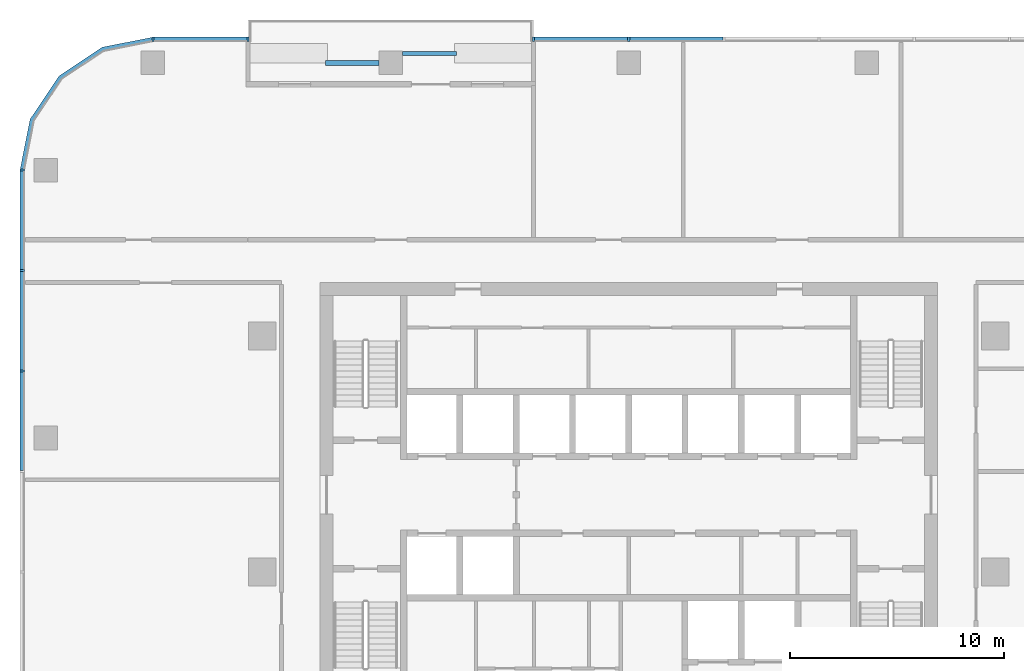
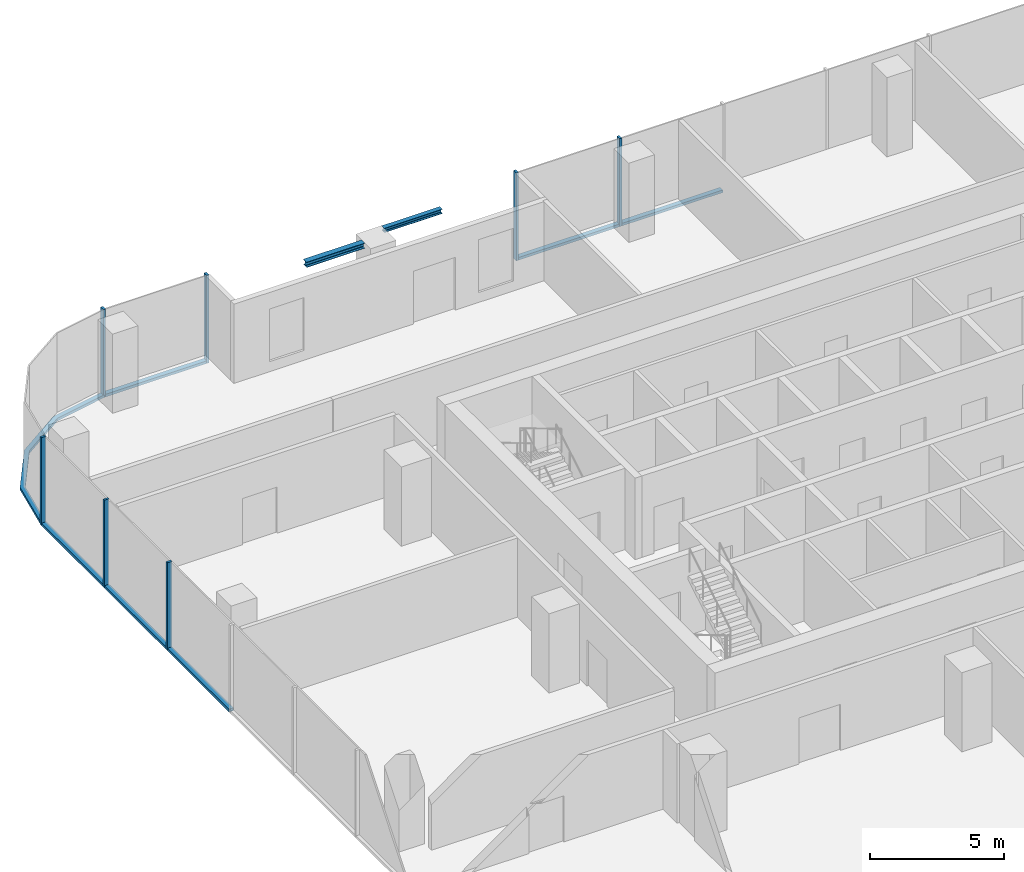
# One storey, part 4 of 14: 14 members, 2 beams, 4 elements without a shape of their own.
"""IFC4 building model written with IfcOpenShell, lengths in metres."""

import ifcopenshell
import ifcopenshell.guid

model = None  # the IFC model being written
_history = None  # IfcOwnerHistory: only IFC2X3 demands one
_inside = {}  # id of a spatial element -> (the spatial element, [elements in it])
_under = {}  # id of a project, library or spatial element -> (it, [spatial elements below it])
_declared = {}  # id of a project -> (the project, [libraries it declares])
_typed = {}  # id of a type object -> (the type object, [elements of that type])
_made_of = {}  # id of a material, layer set ... -> (it, [elements and type objects made of it])


def new_model(schema):
    """Start an empty IFC model of exactly this schema.

    Asked for "IFC4X3", IfcOpenShell would pick the latest addendum, in which some entities
    have other attributes; the version numbers below select the first issue.
    IFC2X3 requires an IfcOwnerHistory on every rooted entity: one is made here for all.
    """
    global model, _history
    if schema == "IFC4X3":
        model = ifcopenshell.file(schema_version=(4, 3, 0, 0))
    else:
        model = ifcopenshell.file(schema=schema)
    _inside.clear()
    _under.clear()
    _declared.clear()
    _typed.clear()
    _made_of.clear()
    _history = None
    if model.schema == "IFC2X3":
        org = make("IfcOrganization", Name="unknown")
        user = make(
            "IfcPersonAndOrganization",
            ThePerson=make("IfcPerson", FamilyName="unknown"),
            TheOrganization=org,
        )
        app = make(
            "IfcApplication",
            ApplicationDeveloper=org,
            Version="unknown",
            ApplicationFullName="unknown",
            ApplicationIdentifier="unknown",
        )
        _history = make(
            "IfcOwnerHistory",
            OwningUser=user,
            OwningApplication=app,
            ChangeAction="ADDED",
            CreationDate=0,
        )
    return model


def make(cls, **values):
    """One entity of the class cls with the attributes given. An attribute that is None is left unset."""
    return model.create_entity(
        cls, **{name: value for name, value in values.items() if value is not None}
    )


def rooted(cls, **values):
    """An entity with a GlobalId (a new one), such as an element, a storey or a relation."""
    return make(cls, GlobalId=ifcopenshell.guid.new(), OwnerHistory=_history, **values)


def si_unit(unit_type, name, prefix=None):
    """IfcSIUnit, for example si_unit("LENGTHUNIT", "METRE", prefix="MILLI")."""
    return make("IfcSIUnit", UnitType=unit_type, Prefix=prefix, Name=name)


def assignment(units):
    """IfcUnitAssignment: the units of a project."""
    return None if units is None else make("IfcUnitAssignment", Units=units)


def point(xyz):
    """IfcCartesianPoint."""
    return None if xyz is None else make("IfcCartesianPoint", Coordinates=xyz)


def direction(xyz):
    """IfcDirection."""
    return None if xyz is None else make("IfcDirection", DirectionRatios=xyz)


def frame(location, z_axis=None, x_axis=None):
    """IfcAxis2Placement3D, a coordinate frame: its origin and axes. An axis left out is left unset."""
    return make(
        "IfcAxis2Placement3D",
        Location=point(location),
        Axis=direction(z_axis),
        RefDirection=direction(x_axis),
    )


def frame_2d(location, x_axis=None):
    """IfcAxis2Placement2D, a coordinate frame in the plane: its origin and x axis."""
    return make(
        "IfcAxis2Placement2D", Location=point(location), RefDirection=direction(x_axis)
    )


def origin():
    """The frame at (0, 0, 0) with its axes left unset."""
    return frame((0.0, 0.0, 0.0))


def origin_2d():
    """The frame at (0, 0) in the plane with its x axis left unset."""
    return frame_2d((0.0, 0.0))


def place(relative_to, where):
    """IfcLocalPlacement: puts the frame where relative to a parent placement (None: the world)."""
    return make(
        "IfcLocalPlacement", PlacementRelTo=relative_to, RelativePlacement=where
    )


def context(
    kind, dimensions, precision=None, world=None, true_north=None, identifier=None
):
    """IfcGeometricRepresentationContext, for example the 3D "Model" context."""
    return make(
        "IfcGeometricRepresentationContext",
        ContextIdentifier=identifier,
        ContextType=kind,
        CoordinateSpaceDimension=dimensions,
        Precision=precision,
        WorldCoordinateSystem=world,
        TrueNorth=true_north,
    )


def subcontext(parent, identifier, kind, view, scale=None):
    """IfcGeometricRepresentationSubContext, for example "Body" below "Model"."""
    return make(
        "IfcGeometricRepresentationSubContext",
        ContextIdentifier=identifier,
        ContextType=kind,
        ParentContext=parent,
        TargetScale=scale,
        TargetView=view,
    )


def project(units=None, contexts=None):
    """IfcProject with its units and contexts."""
    return rooted(
        "IfcProject",
        Name="project",
        RepresentationContexts=contexts,
        UnitsInContext=assignment(units),
    )


def spatial(cls, under=None, at=None, **own):
    """A site, building, storey or space (cls), placed at a placement, below another one or the project."""
    s = rooted(cls, ObjectPlacement=at, **own)
    if under is not None:
        _under.setdefault(under.id(), (under, []))[1].append(s)
    return s


def polyline(points):
    """IfcPolyline through the points."""
    return make("IfcPolyline", Points=[point(p) for p in points])


def profile(cls, at=None, kind="AREA", **sizes):
    """A parametric profile (cls). Its sizes go by their IFC names, for example OverallWidth=200.0."""
    return make(cls, ProfileType=kind, Position=at, **sizes)


def rectangle(**sizes):
    """IfcRectangleProfileDef."""
    return profile("IfcRectangleProfileDef", **sizes)


def i_section(**sizes):
    """IfcIShapeProfileDef."""
    return profile("IfcIShapeProfileDef", **sizes)


def outline(outer, holes=None, kind="AREA"):
    """IfcArbitraryClosedProfileDef: a profile drawn as a closed curve; with holes, ...WithVoids."""
    if holes is None:
        return make("IfcArbitraryClosedProfileDef", ProfileType=kind, OuterCurve=outer)
    return make(
        "IfcArbitraryProfileDefWithVoids",
        ProfileType=kind,
        OuterCurve=outer,
        InnerCurves=holes,
    )


def extrude(swept, where, along, depth):
    """IfcExtrudedAreaSolid: the profile swept, set in the frame where, extruded along a direction by depth."""
    return make(
        "IfcExtrudedAreaSolid",
        SweptArea=swept,
        Position=where,
        ExtrudedDirection=direction(along),
        Depth=depth,
    )


def shape(context_of_items, identifier, shape_type, items):
    """IfcShapeRepresentation: the items that make up one representation, for example the "Body"."""
    return make(
        "IfcShapeRepresentation",
        ContextOfItems=context_of_items,
        RepresentationIdentifier=identifier,
        RepresentationType=shape_type,
        Items=items,
    )


def material(Name=None, Category=None):
    """IfcMaterial."""
    return make("IfcMaterial", Name=Name, Category=Category)


def material_profile(
    of_material, cross_section, Name=None, Category=None, Priority=None
):
    """IfcMaterialProfile: a cross section and its material."""
    return make(
        "IfcMaterialProfile",
        Name=Name,
        Material=of_material,
        Profile=cross_section,
        Priority=Priority,
        Category=Category,
    )


def profile_set(profiles, Name=None, composite=None):
    """IfcMaterialProfileSet."""
    return make(
        "IfcMaterialProfileSet",
        Name=Name,
        MaterialProfiles=profiles,
        CompositeProfile=composite,
    )


def made_of(thing, what):
    """Note that an element or type object is made of a material, layer set ...; save() writes the relation."""
    if what is not None:
        _made_of.setdefault(what.id(), (what, []))[1].append(thing)
    return thing


def type_object(cls, material=None, **own):
    """A type object (cls), such as IfcWallType, which elements share."""
    return made_of(rooted(cls, **own), material)


def element(
    cls,
    number,
    at=None,
    inside=None,
    cuts=None,
    type_object=None,
    material=None,
    context=None,
    identifier="Body",
    shape_type=None,
    held_by="IfcProductDefinitionShape",
    body=None,
    shapes=None,
    **own,
):
    """One element of the class cls, such as IfcWall. Its Tag is "e" and its number.

    at: its placement. inside: the storey or other place that contains it. cuts: it is an
    opening in that element (IfcRelVoidsElement). A single representation is given by context,
    identifier, shape_type and body (its items); several are given by shapes. held_by: the class
    of the entity that holds the representations. save() writes the other relations.
    """
    e = rooted(cls, Tag="e%d" % number, ObjectPlacement=at, **own)
    if body is not None:
        shapes = [shape(context, identifier, shape_type, body)]
    if shapes is not None:
        e.Representation = make(held_by, Representations=shapes)
    if inside is not None:
        _inside.setdefault(inside.id(), (inside, []))[1].append(e)
    if cuts is not None:
        rooted(
            "IfcRelVoidsElement", RelatingBuildingElement=cuts, RelatedOpeningElement=e
        )
    if type_object is not None:
        _typed.setdefault(type_object.id(), (type_object, []))[1].append(e)
    return made_of(e, material)


def aggregate(whole, parts):
    """IfcRelAggregates: a whole, such as a stair, and the parts it consists of."""
    return rooted("IfcRelAggregates", RelatingObject=whole, RelatedObjects=parts)


def save(model, path):
    """Write the relations noted so far, then the file.

    IfcRelAggregates (storeys below a building ...), IfcRelContainedInSpatialStructure (elements
    in a storey), IfcRelDefinesByType, IfcRelAssociatesMaterial and IfcRelDeclares: one each for
    every whole, place, type object, material and project.
    """
    for whole, parts in _under.values():
        aggregate(whole, parts)
    for where, things in _inside.values():
        rooted(
            "IfcRelContainedInSpatialStructure",
            RelatedElements=things,
            RelatingStructure=where,
        )
    for kind, things in _typed.values():
        rooted("IfcRelDefinesByType", RelatedObjects=things, RelatingType=kind)
    for what, things in _made_of.values():
        rooted("IfcRelAssociatesMaterial", RelatedObjects=things, RelatingMaterial=what)
    for by, libraries in _declared.values():
        rooted("IfcRelDeclares", RelatingContext=by, RelatedDefinitions=libraries)
    model.write(path)


model = new_model("IFC4")

# Units and contexts
model_context = context("Model", 3, precision=1e-05, world=origin(), true_north=direction((0.0, 1.0)))
body_context = subcontext(model_context, "Body", "Model", "MODEL_VIEW")
ifc_project = project(units=[si_unit("LENGTHUNIT", "METRE"), si_unit("AREAUNIT", "SQUARE_METRE"), si_unit("VOLUMEUNIT", "CUBIC_METRE"), si_unit("PLANEANGLEUNIT", "RADIAN"), si_unit("MASSUNIT", "GRAM", prefix="KILO")], contexts=[model_context])

# Site, building, storey
site_placement = place(None, origin())
site = spatial("IfcSite", under=ifc_project, at=site_placement, CompositionType="ELEMENT")
building_placement = place(site_placement, origin())
building = spatial("IfcBuilding", under=site, at=building_placement, Name="Mopane Tessera Tower", CompositionType="ELEMENT")
storey_placement = place(building_placement, frame((0.0, 0.0, 215.0)))
storey = spatial("IfcBuildingStorey", under=building, at=storey_placement, Name="L45", CompositionType="ELEMENT", Elevation=215.0)

# Curtain wall, members
ifc_material_1 = material(Name="Aluminium frame", Category="aluminium")
curtain_wall_type = type_object("IfcCurtainWallType", Name="Unitised curtain wall", PredefinedType="NOTDEFINED", material=ifc_material_1)
curtain_wall_1_placement = place(storey_placement, origin())
curtain_wall_1 = element("IfcCurtainWall", 1, at=curtain_wall_1_placement, inside=storey, type_object=curtain_wall_type, Name="e:cw:L45:N:0", PredefinedType="NOTDEFINED")
ifc_material_2 = material(Name="Aluminium frame", Category="aluminium")
ifc_material_profile_1 = material_profile(ifc_material_2, rectangle(XDim=0.10009765625, YDim=0.199951171875, at=origin_2d()))
ifc_profile_set_1 = profile_set([ifc_material_profile_1], Name="Aluminium frame")
member_type_1 = type_object("IfcMemberType", Name="Aluminium mullion 100 x 200", PredefinedType="MULLION", material=ifc_profile_set_1)
member_1_placement = place(storey_placement, frame((0.0, 24.85009765625, -0.39990234375), z_axis=(0.0, 0.0, 1.0), x_axis=(-1.0, 0.0, 0.0)))
member_1 = element("IfcMember", 2, at=member_1_placement, type_object=member_type_1, Name="e:cw:L45:N:0:mu5", PredefinedType="MULLION", context=body_context, shape_type="SweptSolid", body=[
    extrude(rectangle(XDim=0.10009765625, YDim=0.199951171875, at=origin_2d()), origin(), (0.0, 0.0, 1.0), 4.0),
])
member_2_placement = place(storey_placement, frame((-4.43994140625, 24.85009765625, -0.39990234375), z_axis=(0.0, 0.0, 1.0), x_axis=(-1.0, 0.0, 0.0)))
member_2 = element("IfcMember", 3, at=member_2_placement, type_object=member_type_1, Name="e:cw:L45:N:0:mu6", PredefinedType="MULLION", context=body_context, shape_type="SweptSolid", body=[
    extrude(rectangle(XDim=0.10009765625, YDim=0.199951171875, at=origin_2d()), origin(), (0.0, 0.0, 1.0), 4.0),
])

curtain_wall_2_placement = place(storey_placement, origin())
curtain_wall_2 = element("IfcCurtainWall", 4, at=curtain_wall_2_placement, inside=storey, type_object=curtain_wall_type, Name="e:cw:L45:N:9", PredefinedType="NOTDEFINED")
member_3_placement = place(storey_placement, frame((-17.760009765625, 24.85009765625, -0.39990234375), z_axis=(0.0, 0.0, 1.0), x_axis=(-1.0, 0.0, 0.0)))
member_3 = element("IfcMember", 5, at=member_3_placement, type_object=member_type_1, Name="e:cw:L45:N:9:mu9", PredefinedType="MULLION", context=body_context, shape_type="SweptSolid", body=[
    extrude(rectangle(XDim=0.10009765625, YDim=0.199951171875, at=origin_2d()), origin(), (0.0, 0.0, 1.0), 4.0),
])
member_4_placement = place(storey_placement, frame((-22.199951171875, 24.85009765625, -0.39990234375), z_axis=(0.0, 0.0, 1.0), x_axis=(-1.0, 0.0, 0.0)))
member_4 = element("IfcMember", 6, at=member_4_placement, type_object=member_type_1, Name="e:cw:L45:N:9:mu10", PredefinedType="MULLION", context=body_context, shape_type="SweptSolid", body=[
    extrude(rectangle(XDim=0.10009765625, YDim=0.199951171875, at=origin_2d()), origin(), (0.0, 0.0, 1.0), 4.0),
])

curtain_wall_3_placement = place(storey_placement, origin())
curtain_wall_3 = element("IfcCurtainWall", 7, at=curtain_wall_3_placement, inside=storey, type_object=curtain_wall_type, Name="e:cw:L45:W:0", PredefinedType="NOTDEFINED")
member_5_placement = place(storey_placement, frame((-28.300048828125, 18.75, -0.39990234375), z_axis=(0.0, 0.0, 1.0), x_axis=(0.0, -1.0, 0.0)))
member_5 = element("IfcMember", 8, at=member_5_placement, type_object=member_type_1, Name="e:cw:L45:W:0:mu0", PredefinedType="MULLION", context=body_context, shape_type="SweptSolid", body=[
    extrude(rectangle(XDim=0.10009765625, YDim=0.199951171875, at=origin_2d()), origin(), (0.0, 0.0, 1.0), 4.0),
])
member_6_placement = place(storey_placement, frame((-28.300048828125, 14.0625, -0.39990234375), z_axis=(0.0, 0.0, 1.0), x_axis=(0.0, -1.0, 0.0)))
member_6 = element("IfcMember", 9, at=member_6_placement, type_object=member_type_1, Name="e:cw:L45:W:0:mu1", PredefinedType="MULLION", context=body_context, shape_type="SweptSolid", body=[
    extrude(rectangle(XDim=0.10009765625, YDim=0.199951171875, at=origin_2d()), origin(), (0.0, 0.0, 1.0), 4.0),
])
member_7_placement = place(storey_placement, frame((-28.300048828125, 9.375, -0.39990234375), z_axis=(0.0, 0.0, 1.0), x_axis=(0.0, -1.0, 0.0)))
member_7 = element("IfcMember", 10, at=member_7_placement, type_object=member_type_1, Name="e:cw:L45:W:0:mu2", PredefinedType="MULLION", context=body_context, shape_type="SweptSolid", body=[
    extrude(rectangle(XDim=0.10009765625, YDim=0.199951171875, at=origin_2d()), origin(), (0.0, 0.0, 1.0), 4.0),
])

# Member
ifc_material_3 = material(Name="Aluminium frame", Category="aluminium")
ifc_material_profile_2 = material_profile(ifc_material_3, rectangle(XDim=0.199951171875, YDim=0.1201171875, at=origin_2d()))
ifc_profile_set_2 = profile_set([ifc_material_profile_2], Name="Aluminium frame")
member_type_2 = type_object("IfcMemberType", Name="Aluminium transom 200 x 120", PredefinedType="USERDEFINED", material=ifc_profile_set_2)
member_8_placement = place(storey_placement, frame((4.389892578125, 24.85009765625, -0.340087890625), z_axis=(-1.0, 0.0, 0.0), x_axis=(0.0, -1.0, 0.0)))
member_8 = element("IfcMember", 11, at=member_8_placement, type_object=member_type_2, Name="e:cw:L45:N:0:tr4", ObjectType="TRANSOM", PredefinedType="USERDEFINED", context=body_context, shape_type="SweptSolid", body=[
    extrude(rectangle(XDim=0.199951171875, YDim=0.1201171875, at=origin_2d()), origin(), (0.0, 0.0, 1.0), 4.33984375),
])

member_9_placement = place(storey_placement, frame((-0.050048828125, 24.85009765625, -0.340087890625), z_axis=(-1.0, 0.0, 0.0), x_axis=(0.0, -1.0, 0.0)))
member_9 = element("IfcMember", 12, at=member_9_placement, type_object=member_type_2, Name="e:cw:L45:N:0:tr5", ObjectType="TRANSOM", PredefinedType="USERDEFINED", context=body_context, shape_type="SweptSolid", body=[
    extrude(rectangle(XDim=0.199951171875, YDim=0.1201171875, at=origin_2d()), origin(), (0.0, 0.0, 1.0), 4.33984375),
])

aggregate(curtain_wall_1, [member_1, member_2, member_8, member_9])

member_10_placement = place(storey_placement, frame((-17.81005859375, 24.85009765625, -0.340087890625), z_axis=(-1.0, 0.0, 0.0), x_axis=(0.0, -1.0, 0.0)))
member_10 = element("IfcMember", 13, at=member_10_placement, type_object=member_type_2, Name="e:cw:L45:N:9:tr9", ObjectType="TRANSOM", PredefinedType="USERDEFINED", context=body_context, shape_type="SweptSolid", body=[
    extrude(rectangle(XDim=0.199951171875, YDim=0.1201171875, at=origin_2d()), origin(), (0.0, 0.0, 1.0), 4.33984375),
])

aggregate(curtain_wall_2, [member_3, member_4, member_10])

# Curtain wall, member
curtain_wall_4_placement = place(storey_placement, origin())
curtain_wall_4 = element("IfcCurtainWall", 14, at=curtain_wall_4_placement, inside=storey, type_object=curtain_wall_type, Name="e:cw:L45:CN", PredefinedType="NOTDEFINED")
member_11_placement = place(storey_placement, frame((0.0, 0.0, -0.39990234375)))
member_11 = element("IfcMember", 15, at=member_11_placement, type_object=member_type_2, Name="e:cw:L45:CN:tr", ObjectType="TRANSOM", PredefinedType="USERDEFINED", context=body_context, shape_type="SweptSolid", body=[
    extrude(outline(polyline([(-22.199951171875, 24.75), (-24.49609375, 24.293212890625), (-26.442626953125, 22.99267578125), (-27.7431640625, 21.046142578125), (-28.199951171875, 18.75), (-28.39990234375, 18.75), (-27.927978515625, 21.12255859375), (-26.583984375, 23.134033203125), (-24.57275390625, 24.47802734375), (-22.199951171875, 24.949951171875), (-22.199951171875, 24.75)])), origin(), (0.0, 0.0, 1.0), 0.119873046875),
])
aggregate(curtain_wall_4, [member_11])

# Member
member_12_placement = place(storey_placement, frame((-28.300048828125, 18.699951171875, -0.340087890625), z_axis=(0.0, -1.0, 0.0), x_axis=(1.0, 0.0, 0.0)))
member_12 = element("IfcMember", 16, at=member_12_placement, type_object=member_type_2, Name="e:cw:L45:W:0:tr0", ObjectType="TRANSOM", PredefinedType="USERDEFINED", context=body_context, shape_type="SweptSolid", body=[
    extrude(rectangle(XDim=0.199951171875, YDim=0.1201171875, at=origin_2d()), origin(), (0.0, 0.0, 1.0), 4.58740234375),
])

member_13_placement = place(storey_placement, frame((-28.300048828125, 14.012451171875, -0.340087890625), z_axis=(0.0, -1.0, 0.0), x_axis=(1.0, 0.0, 0.0)))
member_13 = element("IfcMember", 17, at=member_13_placement, type_object=member_type_2, Name="e:cw:L45:W:0:tr1", ObjectType="TRANSOM", PredefinedType="USERDEFINED", context=body_context, shape_type="SweptSolid", body=[
    extrude(rectangle(XDim=0.199951171875, YDim=0.1201171875, at=origin_2d()), origin(), (0.0, 0.0, 1.0), 4.58740234375),
])

member_14_placement = place(storey_placement, frame((-28.300048828125, 9.324951171875, -0.340087890625), z_axis=(0.0, -1.0, 0.0), x_axis=(1.0, 0.0, 0.0)))
member_14 = element("IfcMember", 18, at=member_14_placement, type_object=member_type_2, Name="e:cw:L45:W:0:tr2", ObjectType="TRANSOM", PredefinedType="USERDEFINED", context=body_context, shape_type="SweptSolid", body=[
    extrude(rectangle(XDim=0.199951171875, YDim=0.1201171875, at=origin_2d()), origin(), (0.0, 0.0, 1.0), 4.58740234375),
])

aggregate(curtain_wall_3, [member_5, member_6, member_7, member_12, member_13, member_14])

# Beams
ifc_material_4 = material(Name="Structural steel S460", Category="steel")
ifc_material_profile_3 = material_profile(ifc_material_4, i_section(OverallWidth=0.239990234375, OverallDepth=0.239990234375, WebThickness=0.010009765625, FlangeThickness=0.01708984375, FilletRadius=0.02099609375, at=origin_2d()))
ifc_profile_set_3 = profile_set([ifc_material_profile_3], Name="Structural steel S460")
beam_type_1 = type_object("IfcBeamType", Name="Terrace spandrel beam HE 240 B", PredefinedType="SPANDREL", material=ifc_profile_set_3)
beam_1_placement = place(storey_placement, frame((-11.653076171875, 23.75, 3.47998046875), z_axis=(-1.0, 0.0, 0.0), x_axis=(0.0, -1.0, 0.0)))
element("IfcBeam", 19, at=beam_1_placement, inside=storey, type_object=beam_type_1, Name="Terrace spandrel beam N3 L46", PredefinedType="SPANDREL", context=body_context, shape_type="SweptSolid", body=[
    extrude(i_section(OverallWidth=0.239990234375, OverallDepth=0.239990234375, WebThickness=0.010009765625, FlangeThickness=0.01708984375, FilletRadius=0.02099609375, at=origin_2d()), origin(), (0.0, 0.0, 1.0), 2.5),
])
ifc_material_5 = material(Name="Structural steel S460", Category="steel")
ifc_material_profile_4 = material_profile(ifc_material_5, i_section(OverallWidth=0.199951171875, OverallDepth=0.199951171875, WebThickness=0.009033203125, FlangeThickness=0.014892578125, FilletRadius=0.01806640625, at=origin_2d()))
ifc_profile_set_4 = profile_set([ifc_material_profile_4], Name="Structural steel S460")
beam_type_2 = type_object("IfcBeamType", Name="Terrace trimmer beam HE 200 B", PredefinedType="BEAM", material=ifc_profile_set_4)
beam_2_placement = place(storey_placement, frame((-10.547119140625, 24.18994140625, 3.5), z_axis=(1.0, 0.0, 0.0), x_axis=(0.0, 1.0, 0.0)))
element("IfcBeam", 20, at=beam_2_placement, inside=storey, type_object=beam_type_2, Name="Terrace trimmer beam N3 L46", PredefinedType="BEAM", context=body_context, shape_type="SweptSolid", body=[
    extrude(i_section(OverallWidth=0.199951171875, OverallDepth=0.199951171875, WebThickness=0.009033203125, FlangeThickness=0.014892578125, FilletRadius=0.01806640625, at=origin_2d()), origin(), (0.0, 0.0, 1.0), 2.5),
])

save(model, "model.ifc")
